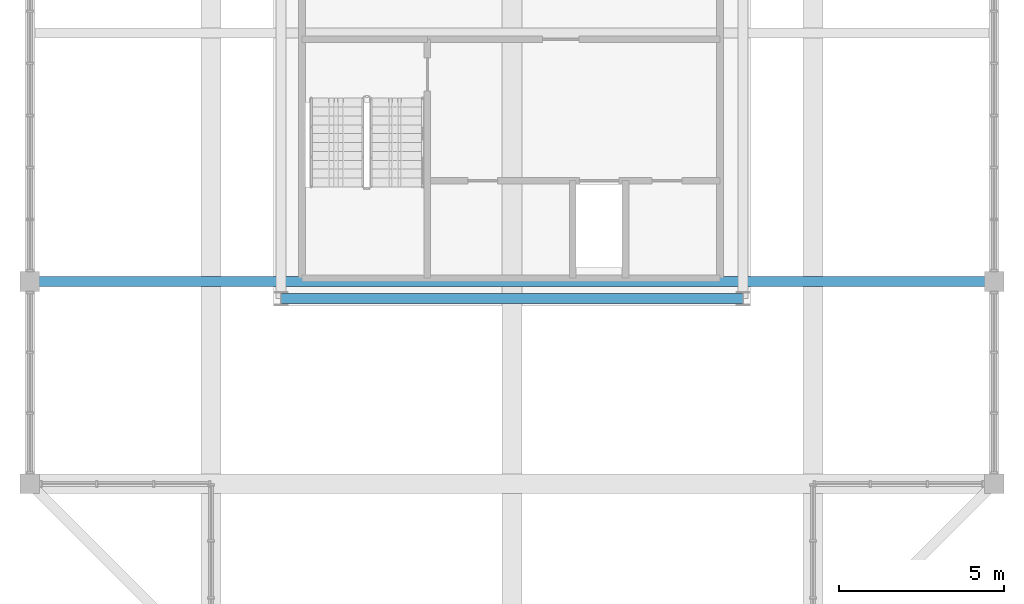
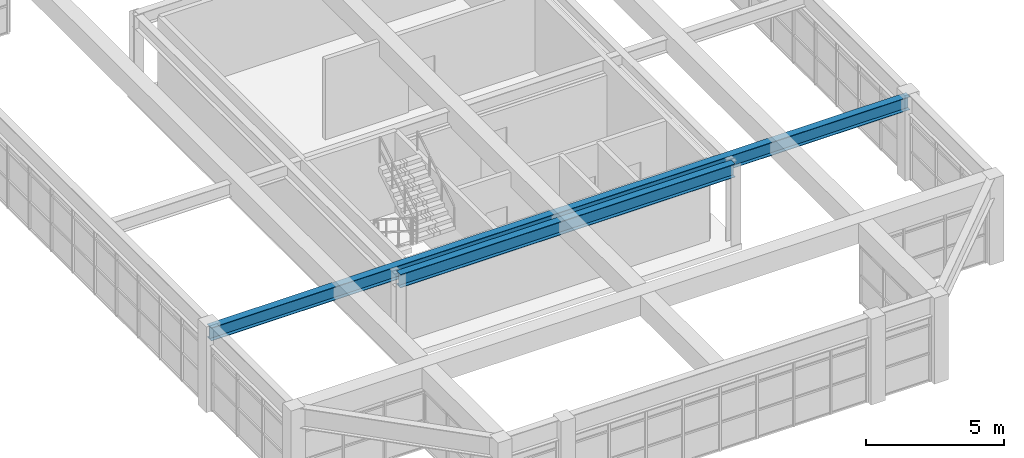
# One storey, part 6 of 28: 2 beams.
"""IFC4 building model written with IfcOpenShell, lengths in metres."""

from ifc_helpers import new_model, si_unit, direction, frame, origin, origin_2d, place, context, subcontext, project, spatial, i_section, extrude, source, transform, mapped, material, material_profile, profile_set, type_object, element, save


model = new_model("IFC4")

# Units and contexts
model_context = context("Model", 3, precision=1e-05, world=origin(), true_north=direction((0.0, 1.0)))
body_context = subcontext(model_context, "Body", "Model", "MODEL_VIEW")
ifc_project = project(units=[si_unit("LENGTHUNIT", "METRE"), si_unit("AREAUNIT", "SQUARE_METRE"), si_unit("VOLUMEUNIT", "CUBIC_METRE"), si_unit("PLANEANGLEUNIT", "RADIAN"), si_unit("MASSUNIT", "GRAM", prefix="KILO")], contexts=[model_context])

# Site, building, storey
site_placement = place(None, origin())
site = spatial("IfcSite", under=ifc_project, at=site_placement, CompositionType="ELEMENT")
building_placement = place(site_placement, origin())
building = spatial("IfcBuilding", under=site, at=building_placement, Name="Saelheon Loggia Tower", CompositionType="ELEMENT")
storey_placement = place(building_placement, frame((0.0, 0.0, 271.199951171875)))
storey = spatial("IfcBuildingStorey", under=building, at=storey_placement, Name="CR6", CompositionType="ELEMENT", Elevation=271.199951171875)

# Beams
ifc_material = material(Name="Steel SM355", Category="steel")
ifc_material_profile = material_profile(ifc_material, i_section(OverallWidth=0.300048828125, OverallDepth=0.587890625, WebThickness=0.011962890625, FlangeThickness=0.02001953125, at=origin_2d()), Name="H-588x300x12x20")
ifc_profile_set = profile_set([ifc_material_profile], Name="Steel SM355")
beam_type = type_object("IfcBeamType", Name="Beam_Girder_Steel_H588", PredefinedType="BEAM", material=ifc_profile_set)
shared_shape_1 = source(origin(), body_context, "Body", "SweptSolid", [
    extrude(i_section(OverallWidth=0.300048828125, OverallDepth=0.587890625, WebThickness=0.011962890625, FlangeThickness=0.02001953125, at=origin_2d()), origin(), (0.0, 0.0, 1.0), 14.0400390625),
])
beam_1_placement = place(storey_placement, frame((30.97998046875, 17.47998046875, 3.276123046875), z_axis=(1.0, 0.0, 0.0), x_axis=(0.0, 1.0, 0.0)))
element("IfcBeam", 1, at=beam_1_placement, inside=storey, type_object=beam_type, Name="BM-CR6-PL-S", PredefinedType="BEAM", context=body_context, shape_type="MappedRepresentation", body=[
    mapped(shared_shape_1, transform((0.0, 0.0, 0.0), scale=1.0)),
])
shared_shape_2 = source(origin(), body_context, "Body", "SweptSolid", [
    extrude(i_section(OverallWidth=0.300048828125, OverallDepth=0.587890625, WebThickness=0.011962890625, FlangeThickness=0.02001953125, at=origin_2d()), origin(), (0.0, 0.0, 1.0), 29.2998046875),
])
beam_2_placement = place(storey_placement, frame((23.35009765625, 18.0, 3.276123046875), z_axis=(1.0, 0.0, 0.0), x_axis=(0.0, 1.0, 0.0)))
element("IfcBeam", 2, at=beam_2_placement, inside=storey, type_object=beam_type, Name="BM-CR6-FLAT-S", PredefinedType="BEAM", context=body_context, shape_type="MappedRepresentation", body=[
    mapped(shared_shape_2, transform((0.0, 0.0, 0.0), scale=1.0)),
])

save(model, "model.ifc")
